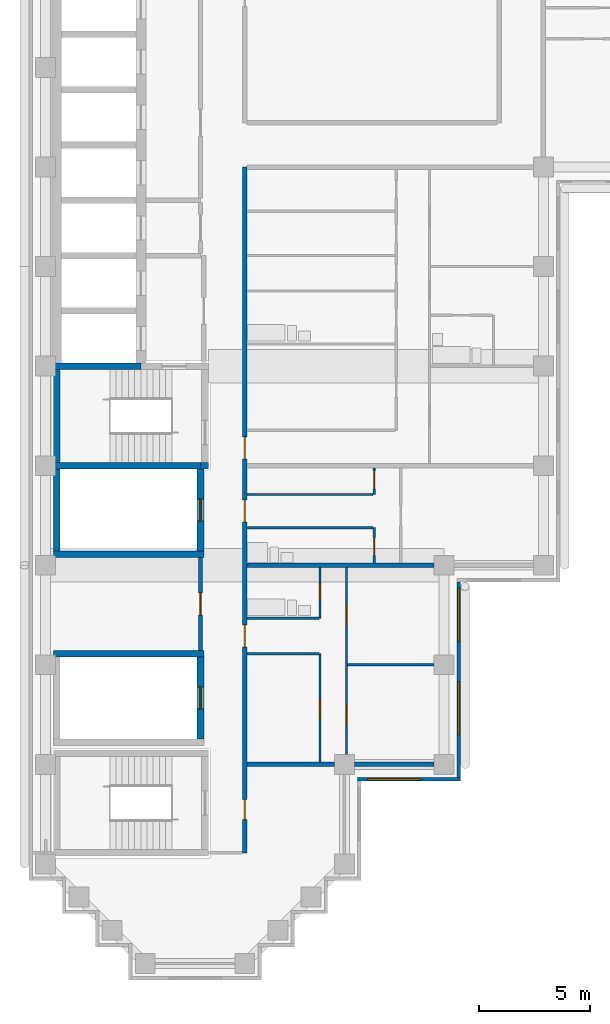
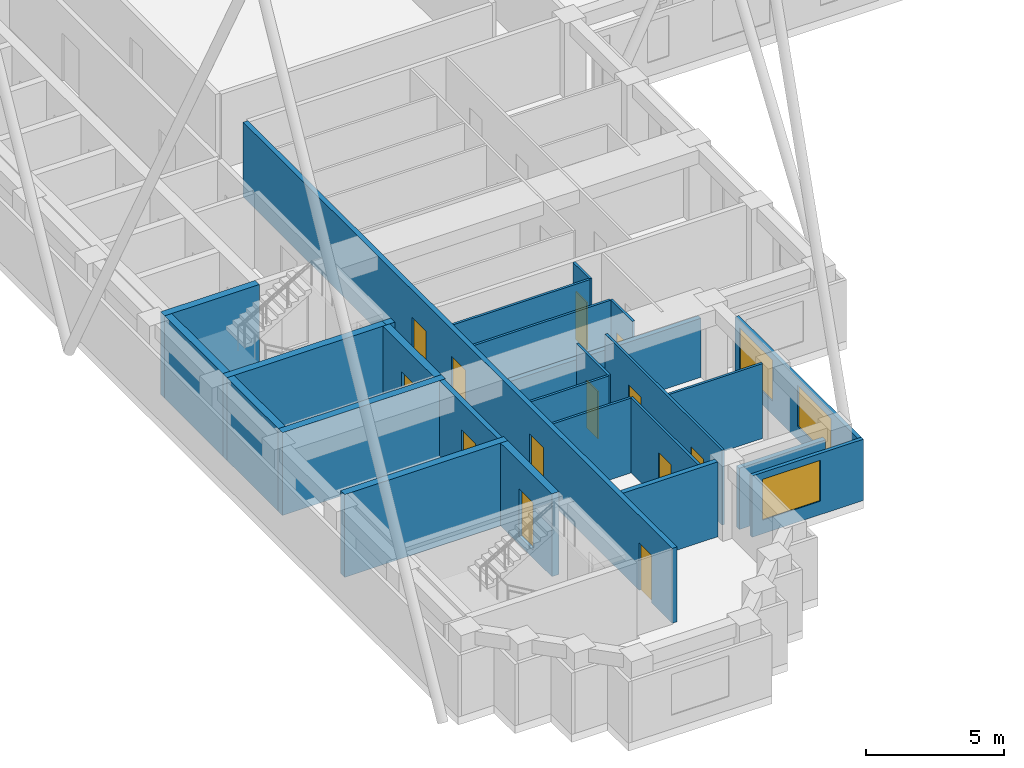
# One storey, part 3 of 11: 26 walls, 13 doors, 3 windows, 16 openings.
"""IFC4 building model written with IfcOpenShell, lengths in metres."""

from ifc_helpers import new_model, si_unit, direction, frame, frame_2d, origin, place, context, subcontext, project, spatial, rectangle, extrude, material, layer, layer_set, type_object, element, fill, save


model = new_model("IFC4")

# Units and contexts
model_context = context("Model", 3, precision=1e-05, world=origin(), true_north=direction((0.0, 1.0)))
body_context = subcontext(model_context, "Body", "Model", "MODEL_VIEW")
ifc_project = project(units=[si_unit("LENGTHUNIT", "METRE"), si_unit("AREAUNIT", "SQUARE_METRE"), si_unit("VOLUMEUNIT", "CUBIC_METRE"), si_unit("PLANEANGLEUNIT", "RADIAN"), si_unit("MASSUNIT", "GRAM", prefix="KILO")], contexts=[model_context])

# Site, building, storey
site_placement = place(None, origin())
site = spatial("IfcSite", under=ifc_project, at=site_placement, CompositionType="ELEMENT")
building_placement = place(site_placement, origin())
building = spatial("IfcBuilding", under=site, at=building_placement, Name="Firuza Court", CompositionType="ELEMENT")
storey_placement = place(building_placement, frame((0.0, 0.0, 186.199951171875)))
storey = spatial("IfcBuildingStorey", under=building, at=storey_placement, Name="L47", CompositionType="ELEMENT", Elevation=186.199951171875)

# Walls
ifc_material_1 = material(Name="Moisture-resistant gypsum board partition")
ifc_layer_1 = layer(ifc_material_1, 0.10009765625)
ifc_layer_set_1 = layer_set([ifc_layer_1], Name="Moisture-resistant gypsum board partition")
wall_type_1 = type_object("IfcWallType", Name="Bathroom partition 100", PredefinedType="PLUMBINGWALL", material=ifc_layer_set_1)
wall_1_placement = place(storey_placement, frame((9.10009765625, 15.60009765625, 0.0), z_axis=(0.0, 0.0, 1.0), x_axis=(1.0, 0.0, 0.0)))
element("IfcWall", 1, at=wall_1_placement, inside=storey, type_object=wall_type_1, Name="Bathroom partition 100 L47", PredefinedType="PLUMBINGWALL", context=body_context, shape_type="SweptSolid", body=[
    extrude(rectangle(XDim=3.25, YDim=0.10009765625, at=frame_2d((1.625, 0.0))), origin(), (0.0, 0.0, 1.0), 3.300048828125),
])
wall_2_placement = place(storey_placement, frame((9.10009765625, 19.699951171875, 0.0), z_axis=(0.0, 0.0, 1.0), x_axis=(1.0, 0.0, 0.0)))
element("IfcWall", 2, at=wall_2_placement, inside=storey, type_object=wall_type_1, Name="Bathroom partition 100 L47", PredefinedType="PLUMBINGWALL", context=body_context, shape_type="SweptSolid", body=[
    extrude(rectangle(XDim=5.699951171875, YDim=0.10009765625, at=frame_2d((2.85009765625, 0.0))), origin(), (0.0, 0.0, 1.0), 3.300048828125),
])
ifc_material_2 = material(Name="Concrete C50/60", Category="concrete")
ifc_layer_2 = layer(ifc_material_2, 0.300048828125)
ifc_layer_set_2 = layer_set([ifc_layer_2], Name="Concrete C50/60")
wall_type_2 = type_object("IfcWallType", Name="Core wall 300 C50/60", PredefinedType="SHEAR", material=ifc_layer_set_2)
for number, where, z_axis, x_axis, name in (
    (3, (0.35009765625, 14.0, -0.349853515625), (0.0, 0.0, 1.0), (1.0, 0.0, 0.0), "Core wall riser L47"),
    (4, (0.35009765625, 18.5, -0.349853515625), (0.0, 0.0, 1.0), (1.0, 0.0, 0.0), "Core wall riser L47"),
):
    element("IfcWall", number, at=place(storey_placement, frame(where, z_axis=z_axis, x_axis=x_axis)), inside=storey, type_object=wall_type_2, Name=name, PredefinedType="SHEAR", context=body_context, shape_type="SweptSolid", body=[
        extrude(rectangle(XDim=6.7998046875, YDim=0.300048828125, at=frame_2d((3.39990234375, 0.0))), origin(), (0.0, 0.0, 1.0), 3.64990234375),
    ])
wall_3_placement = place(storey_placement, frame((0.35009765625, 22.5, -0.349853515625), z_axis=(0.0, 0.0, 1.0), x_axis=(1.0, 0.0, 0.0)))
element("IfcWall", 5, at=wall_3_placement, inside=storey, type_object=wall_type_2, Name="Core wall riser L47", PredefinedType="SHEAR", context=body_context, shape_type="SweptSolid", body=[
    extrude(rectangle(XDim=6.64990234375, YDim=0.300048828125, at=frame_2d((3.324951171875, 0.0))), origin(), (0.0, 0.0, 1.0), 3.64990234375),
])
wall_4_placement = place(storey_placement, frame((0.35009765625, 27.0, -0.349853515625), z_axis=(0.0, 0.0, 1.0), x_axis=(1.0, 0.0, 0.0)))
element("IfcWall", 6, at=wall_4_placement, inside=storey, type_object=wall_type_2, Name="Core wall lift shaft L47", PredefinedType="SHEAR", context=body_context, shape_type="SweptSolid", body=[
    extrude(rectangle(XDim=3.949951171875, YDim=0.300048828125, at=frame_2d((1.97509765625, 0.0))), origin(), (0.0, 0.0, 1.0), 3.64990234375),
])
wall_5_placement = place(storey_placement, frame((0.5, 18.64990234375, -0.349853515625), z_axis=(0.0, 0.0, 1.0), x_axis=(0.0, 1.0, 0.0)))
element("IfcWall", 7, at=wall_5_placement, inside=storey, type_object=wall_type_2, Name="Core wall riser L47", PredefinedType="SHEAR", context=body_context, shape_type="SweptSolid", body=[
    extrude(rectangle(XDim=3.7001953125, YDim=0.300048828125, at=frame_2d((1.85009765625, 0.0))), origin(), (0.0, 0.0, 1.0), 3.64990234375),
])
wall_6_placement = place(storey_placement, frame((0.5, 22.64990234375, -0.349853515625), z_axis=(0.0, 0.0, 1.0), x_axis=(0.0, 1.0, 0.0)))
element("IfcWall", 8, at=wall_6_placement, inside=storey, type_object=wall_type_2, Name="Core wall stair L47", PredefinedType="SHEAR", context=body_context, shape_type="SweptSolid", body=[
    extrude(rectangle(XDim=4.2001953125, YDim=0.300048828125, at=frame_2d((2.10009765625, 0.0))), origin(), (0.0, 0.0, 1.0), 3.64990234375),
])

# Wall, opening, door
wall_7_placement = place(storey_placement, frame((7.0, 10.14990234375, -0.349853515625), z_axis=(0.0, 0.0, 1.0), x_axis=(0.0, 1.0, 0.0)))
wall_7 = element("IfcWall", 9, at=wall_7_placement, inside=storey, type_object=wall_type_2, Name="Core wall riser L47", PredefinedType="SHEAR", context=body_context, shape_type="SweptSolid", body=[
    extrude(rectangle(XDim=3.7001953125, YDim=0.300048828125, at=frame_2d((1.85009765625, 0.0))), origin(), (0.0, 0.0, 1.0), 3.64990234375),
])
opening_1_placement = place(wall_7_placement, frame((1.35009765625, 0.0, 0.35009765625)))
opening_1 = element("IfcOpeningElement", 10, at=opening_1_placement, cuts=wall_7, Name="Opening D47010", PredefinedType="OPENING", context=body_context, shape_type="SweptSolid", body=[
    extrude(rectangle(XDim=1.0, YDim=2.10009765625, at=frame_2d((0.5, 1.050048828125))), frame((0.0, 0.162109375, 0.0), z_axis=(0.0, -1.0, 0.0), x_axis=(1.0, 0.0, 0.0)), (0.0, 0.0, 1.0), 0.323974609375),
])
ifc_material_3 = material(Name="Timber door leaf in hardwood frame", Category="wood")
door_type_1 = type_object("IfcDoorType", Name="Riser door 1000", OperationType="SINGLE_SWING_LEFT", PredefinedType="DOOR", material=ifc_material_3)
door_1_placement = place(opening_1_placement, origin())
door_1 = element("IfcDoor", 11, at=door_1_placement, inside=storey, type_object=door_type_1, Name="Riser door R4", OperationType="SINGLE_SWING_LEFT", OverallHeight=2.10009765625, OverallWidth=1.0, PredefinedType="DOOR", context=body_context, shape_type="SweptSolid", body=[
    extrude(rectangle(XDim=1.0, YDim=2.10009765625, at=frame_2d((0.5, 1.050048828125))), frame((0.0, 0.02490234375, 0.0), z_axis=(0.0, -1.0, 0.0), x_axis=(1.0, 0.0, 0.0)), (0.0, 0.0, 1.0), 0.050048828125),
])
fill(opening_1, door_1)

wall_8_placement = place(storey_placement, frame((7.0, 18.64990234375, -0.349853515625), z_axis=(0.0, 0.0, 1.0), x_axis=(0.0, 1.0, 0.0)))
wall_8 = element("IfcWall", 12, at=wall_8_placement, inside=storey, type_object=wall_type_2, Name="Core wall riser L47", PredefinedType="SHEAR", context=body_context, shape_type="SweptSolid", body=[
    extrude(rectangle(XDim=3.7001953125, YDim=0.300048828125, at=frame_2d((1.85009765625, 0.0))), origin(), (0.0, 0.0, 1.0), 3.64990234375),
])
opening_2_placement = place(wall_8_placement, frame((1.35009765625, 0.0, 0.35009765625)))
opening_2 = element("IfcOpeningElement", 13, at=opening_2_placement, cuts=wall_8, Name="Opening D47008", PredefinedType="OPENING", context=body_context, shape_type="SweptSolid", body=[
    extrude(rectangle(XDim=1.0, YDim=2.10009765625, at=frame_2d((0.5, 1.050048828125))), frame((0.0, 0.162109375, 0.0), z_axis=(0.0, -1.0, 0.0), x_axis=(1.0, 0.0, 0.0)), (0.0, 0.0, 1.0), 0.323974609375),
])
door_2_placement = place(opening_2_placement, origin())
door_2 = element("IfcDoor", 14, at=door_2_placement, inside=storey, type_object=door_type_1, Name="Riser door R1", OperationType="SINGLE_SWING_LEFT", OverallHeight=2.10009765625, OverallWidth=1.0, PredefinedType="DOOR", context=body_context, shape_type="SweptSolid", body=[
    extrude(rectangle(XDim=1.0, YDim=2.10009765625, at=frame_2d((0.5, 1.050048828125))), frame((0.0, 0.02490234375, 0.0), z_axis=(0.0, -1.0, 0.0), x_axis=(1.0, 0.0, 0.0)), (0.0, 0.0, 1.0), 0.050048828125),
])
fill(opening_2, door_2)

# Wall
wall_9_placement = place(storey_placement, frame((7.0, 22.5, -0.349853515625), z_axis=(0.0, 0.0, 1.0), x_axis=(1.0, 0.0, 0.0)))
element("IfcWall", 15, at=wall_9_placement, inside=storey, type_object=wall_type_2, Name="Core wall stair L47", PredefinedType="SHEAR", context=body_context, shape_type="SweptSolid", body=[
    extrude(rectangle(XDim=0.35009765625, YDim=0.300048828125, at=frame_2d((0.175048828125, 0.0))), origin(), (0.0, 0.0, 1.0), 3.64990234375),
])

# Wall, openings, doors
ifc_material_4 = material(Name="Blockwork, plastered both sides", Category="masonry")
ifc_layer_3 = layer(ifc_material_4, 0.199951171875)
ifc_layer_set_3 = layer_set([ifc_layer_3], Name="Blockwork, plastered both sides")
wall_type_3 = type_object("IfcWallType", Name="Corridor wall 200", PredefinedType="PARTITIONING", material=ifc_layer_set_3)
wall_10_placement = place(storey_placement, frame((9.0, 5.0, 0.0), z_axis=(0.0, 0.0, 1.0), x_axis=(0.0, 1.0, 0.0)))
wall_10 = element("IfcWall", 16, at=wall_10_placement, inside=storey, type_object=wall_type_3, Name="Corridor wall 200 L47", PredefinedType="PARTITIONING", context=body_context, shape_type="SweptSolid", body=[
    extrude(rectangle(XDim=31.0, YDim=0.199951171875, at=frame_2d((15.5, 0.0))), origin(), (0.0, 0.0, 1.0), 3.300048828125),
])
opening_3_placement = place(wall_10_placement, frame((17.800048828125, 0.0, 0.0)))
opening_3 = element("IfcOpeningElement", 17, at=opening_3_placement, cuts=wall_10, Name="Opening D47016", PredefinedType="OPENING", context=body_context, shape_type="SweptSolid", body=[
    extrude(rectangle(XDim=1.0, YDim=2.10009765625, at=frame_2d((0.5, 1.050048828125))), frame((0.0, 0.11181640625, 0.0), z_axis=(0.0, -1.0, 0.0), x_axis=(1.0, 0.0, 0.0)), (0.0, 0.0, 1.0), 0.223876953125),
])
opening_4_placement = place(wall_10_placement, frame((14.949951171875, 0.0, 0.0)))
opening_4 = element("IfcOpeningElement", 18, at=opening_4_placement, cuts=wall_10, Name="Opening D47017", PredefinedType="OPENING", context=body_context, shape_type="SweptSolid", body=[
    extrude(rectangle(XDim=1.0, YDim=2.10009765625, at=frame_2d((0.5, 1.050048828125))), frame((0.0, 0.11181640625, 0.0), z_axis=(0.0, -1.0, 0.0), x_axis=(1.0, 0.0, 0.0)), (0.0, 0.0, 1.0), 0.223876953125),
])
opening_5_placement = place(wall_10_placement, frame((9.300048828125, 0.0, 0.0)))
opening_5 = element("IfcOpeningElement", 19, at=opening_5_placement, cuts=wall_10, Name="Opening D47018", PredefinedType="OPENING", context=body_context, shape_type="SweptSolid", body=[
    extrude(rectangle(XDim=1.0, YDim=2.10009765625, at=frame_2d((0.5, 1.050048828125))), frame((0.0, 0.11181640625, 0.0), z_axis=(0.0, -1.0, 0.0), x_axis=(1.0, 0.0, 0.0)), (0.0, 0.0, 1.0), 0.223876953125),
])
opening_6_placement = place(wall_10_placement, frame((1.5, 0.0, 0.0)))
opening_6 = element("IfcOpeningElement", 20, at=opening_6_placement, cuts=wall_10, Name="Opening D47019", PredefinedType="OPENING", context=body_context, shape_type="SweptSolid", body=[
    extrude(rectangle(XDim=0.89990234375, YDim=2.10009765625, at=frame_2d((0.449951171875, 1.050048828125))), frame((0.0, 0.11181640625, 0.0), z_axis=(0.0, -1.0, 0.0), x_axis=(1.0, 0.0, 0.0)), (0.0, 0.0, 1.0), 0.223876953125),
])
ifc_material_5 = material(Name="Timber door leaf in hardwood frame", Category="wood")
door_type_2 = type_object("IfcDoorType", Name="Flat entrance door 1000", OperationType="SINGLE_SWING_LEFT", PredefinedType="DOOR", material=ifc_material_5)
door_3_placement = place(opening_3_placement, origin())
door_3 = element("IfcDoor", 21, at=door_3_placement, inside=storey, type_object=door_type_2, Name="Flat entrance door", OperationType="SINGLE_SWING_LEFT", OverallHeight=2.10009765625, OverallWidth=1.0, PredefinedType="DOOR", context=body_context, shape_type="SweptSolid", body=[
    extrude(rectangle(XDim=1.0, YDim=2.10009765625, at=frame_2d((0.5, 1.050048828125))), frame((0.0, 0.02490234375, 0.0), z_axis=(0.0, -1.0, 0.0), x_axis=(1.0, 0.0, 0.0)), (0.0, 0.0, 1.0), 0.050048828125),
])
fill(opening_3, door_3)
door_4_placement = place(opening_4_placement, origin())
door_4 = element("IfcDoor", 22, at=door_4_placement, inside=storey, type_object=door_type_2, Name="Flat entrance door", OperationType="SINGLE_SWING_LEFT", OverallHeight=2.10009765625, OverallWidth=1.0, PredefinedType="DOOR", context=body_context, shape_type="SweptSolid", body=[
    extrude(rectangle(XDim=1.0, YDim=2.10009765625, at=frame_2d((0.5, 1.050048828125))), frame((0.0, 0.02490234375, 0.0), z_axis=(0.0, -1.0, 0.0), x_axis=(1.0, 0.0, 0.0)), (0.0, 0.0, 1.0), 0.050048828125),
])
fill(opening_4, door_4)
door_5_placement = place(opening_5_placement, origin())
door_5 = element("IfcDoor", 23, at=door_5_placement, inside=storey, type_object=door_type_2, Name="Flat entrance door", OperationType="SINGLE_SWING_LEFT", OverallHeight=2.10009765625, OverallWidth=1.0, PredefinedType="DOOR", context=body_context, shape_type="SweptSolid", body=[
    extrude(rectangle(XDim=1.0, YDim=2.10009765625, at=frame_2d((0.5, 1.050048828125))), frame((0.0, 0.02490234375, 0.0), z_axis=(0.0, -1.0, 0.0), x_axis=(1.0, 0.0, 0.0)), (0.0, 0.0, 1.0), 0.050048828125),
])
fill(opening_5, door_5)
ifc_material_6 = material(Name="Timber door leaf in hardwood frame", Category="wood")
door_type_3 = type_object("IfcDoorType", Name="Room door 900 EI 30", OperationType="SINGLE_SWING_LEFT", PredefinedType="DOOR", material=ifc_material_6)
door_6_placement = place(opening_6_placement, frame((0.89990234375, 0.0, 0.0), z_axis=(0.0, 0.0, 1.0), x_axis=(-1.0, 0.0, 0.0)))
door_6 = element("IfcDoor", 24, at=door_6_placement, inside=storey, type_object=door_type_3, Name="Library door", OperationType="SINGLE_SWING_LEFT", OverallHeight=2.10009765625, OverallWidth=0.89990234375, PredefinedType="DOOR", context=body_context, shape_type="SweptSolid", body=[
    extrude(rectangle(XDim=0.89990234375, YDim=2.10009765625, at=frame_2d((0.449951171875, 1.050048828125))), frame((0.0, 0.02490234375, 0.0), z_axis=(0.0, -1.0, 0.0), x_axis=(1.0, 0.0, 0.0)), (0.0, 0.0, 1.0), 0.050048828125),
])
fill(opening_6, door_6)

# Wall, opening, door
wall_11_placement = place(storey_placement, frame((7.0, 14.14990234375, 0.0), z_axis=(0.0, 0.0, 1.0), x_axis=(0.0, 1.0, 0.0)))
wall_11 = element("IfcWall", 25, at=wall_11_placement, inside=storey, type_object=wall_type_3, Name="Corridor wall 200 L47", PredefinedType="PARTITIONING", context=body_context, shape_type="SweptSolid", body=[
    extrude(rectangle(XDim=4.2001953125, YDim=0.199951171875, at=frame_2d((2.10009765625, 0.0))), origin(), (0.0, 0.0, 1.0), 3.300048828125),
])
opening_7_placement = place(wall_11_placement, frame((1.60009765625, 0.0, 0.0)))
opening_7 = element("IfcOpeningElement", 26, at=opening_7_placement, cuts=wall_11, Name="Opening D47023", PredefinedType="OPENING", context=body_context, shape_type="SweptSolid", body=[
    extrude(rectangle(XDim=1.0, YDim=2.10009765625, at=frame_2d((0.5, 1.050048828125))), frame((0.0, 0.11181640625, 0.0), z_axis=(0.0, -1.0, 0.0), x_axis=(1.0, 0.0, 0.0)), (0.0, 0.0, 1.0), 0.223876953125),
])
ifc_material_7 = material(Name="Timber door leaf in hardwood frame", Category="wood")
door_type_4 = type_object("IfcDoorType", Name="Store door 1000", OperationType="SINGLE_SWING_LEFT", PredefinedType="DOOR", material=ifc_material_7)
door_7_placement = place(opening_7_placement, origin())
door_7 = element("IfcDoor", 27, at=door_7_placement, inside=storey, type_object=door_type_4, Name="Electrical room door", OperationType="SINGLE_SWING_LEFT", OverallHeight=2.10009765625, OverallWidth=1.0, PredefinedType="DOOR", context=body_context, shape_type="SweptSolid", body=[
    extrude(rectangle(XDim=1.0, YDim=2.10009765625, at=frame_2d((0.5, 1.050048828125))), frame((0.0, 0.02490234375, 0.0), z_axis=(0.0, -1.0, 0.0), x_axis=(1.0, 0.0, 0.0)), (0.0, 0.0, 1.0), 0.050048828125),
])
fill(opening_7, door_7)

ifc_material_8 = material(Name="Timber stud partition, plasterboard both sides", Category="wood")
ifc_layer_4 = layer(ifc_material_8, 0.10009765625)
ifc_layer_set_4 = layer_set([ifc_layer_4], Name="Timber stud partition, plasterboard both sides")
wall_type_4 = type_object("IfcWallType", Name="Partition wall 100", PredefinedType="PARTITIONING", material=ifc_layer_set_4)
wall_12_placement = place(storey_placement, frame((12.39990234375, 9.10009765625, 0.0), z_axis=(0.0, 0.0, 1.0), x_axis=(0.0, 1.0, 0.0)))
wall_12 = element("IfcWall", 28, at=wall_12_placement, inside=storey, type_object=wall_type_4, Name="Partition wall 100 L47", PredefinedType="PARTITIONING", context=body_context, shape_type="SweptSolid", body=[
    extrude(rectangle(XDim=4.89990234375, YDim=0.10009765625, at=frame_2d((2.449951171875, 0.0))), origin(), (0.0, 0.0, 1.0), 3.300048828125),
])
opening_8_placement = place(wall_12_placement, frame((1.949951171875, 0.0, 0.0)))
opening_8 = element("IfcOpeningElement", 29, at=opening_8_placement, cuts=wall_12, Name="Opening D47020", PredefinedType="OPENING", context=body_context, shape_type="SweptSolid", body=[
    extrude(rectangle(XDim=0.89990234375, YDim=2.10009765625, at=frame_2d((0.449951171875, 1.050048828125))), frame((0.0, 0.06201171875, 0.0), z_axis=(0.0, -1.0, 0.0), x_axis=(1.0, 0.0, 0.0)), (0.0, 0.0, 1.0), 0.1240234375),
])
ifc_material_9 = material(Name="Timber door leaf in hardwood frame", Category="wood")
door_type_5 = type_object("IfcDoorType", Name="Room door 900", OperationType="SINGLE_SWING_LEFT", PredefinedType="DOOR", material=ifc_material_9)
door_8_placement = place(opening_8_placement, origin())
door_8 = element("IfcDoor", 30, at=door_8_placement, inside=storey, type_object=door_type_5, Name="Kitchen door", OperationType="SINGLE_SWING_LEFT", OverallHeight=2.10009765625, OverallWidth=0.89990234375, PredefinedType="DOOR", context=body_context, shape_type="SweptSolid", body=[
    extrude(rectangle(XDim=0.89990234375, YDim=2.10009765625, at=frame_2d((0.449951171875, 1.050048828125))), frame((0.0, 0.02490234375, 0.0), z_axis=(0.0, -1.0, 0.0), x_axis=(1.0, 0.0, 0.0)), (0.0, 0.0, 1.0), 0.050048828125),
])
fill(opening_8, door_8)

# Wall, openings, doors
wall_13_placement = place(storey_placement, frame((13.60009765625, 9.449951171875, 0.0), z_axis=(0.0, 0.0, 1.0), x_axis=(0.0, 1.0, 0.0)))
wall_13 = element("IfcWall", 31, at=wall_13_placement, inside=storey, type_object=wall_type_4, Name="Partition wall 100 L47", PredefinedType="PARTITIONING", context=body_context, shape_type="SweptSolid", body=[
    extrude(rectangle(XDim=8.449951171875, YDim=0.10009765625, at=frame_2d((4.22509765625, 0.0))), origin(), (0.0, 0.0, 1.0), 3.300048828125),
])
opening_9_placement = place(wall_13_placement, frame((1.35009765625, 0.0, 0.0)))
opening_9 = element("IfcOpeningElement", 32, at=opening_9_placement, cuts=wall_13, Name="Opening D47021", PredefinedType="OPENING", context=body_context, shape_type="SweptSolid", body=[
    extrude(rectangle(XDim=0.89990234375, YDim=2.10009765625, at=frame_2d((0.449951171875, 1.050048828125))), frame((0.0, 0.06201171875, 0.0), z_axis=(0.0, -1.0, 0.0), x_axis=(1.0, 0.0, 0.0)), (0.0, 0.0, 1.0), 0.1240234375),
])
opening_10_placement = place(wall_13_placement, frame((5.85009765625, 0.0, 0.0)))
opening_10 = element("IfcOpeningElement", 33, at=opening_10_placement, cuts=wall_13, Name="Opening D47022", PredefinedType="OPENING", context=body_context, shape_type="SweptSolid", body=[
    extrude(rectangle(XDim=0.89990234375, YDim=2.10009765625, at=frame_2d((0.449951171875, 1.050048828125))), frame((0.0, 0.06201171875, 0.0), z_axis=(0.0, -1.0, 0.0), x_axis=(1.0, 0.0, 0.0)), (0.0, 0.0, 1.0), 0.1240234375),
])
door_9_placement = place(opening_9_placement, frame((0.89990234375, 0.0, 0.0), z_axis=(0.0, 0.0, 1.0), x_axis=(-1.0, 0.0, 0.0)))
door_9 = element("IfcDoor", 34, at=door_9_placement, inside=storey, type_object=door_type_5, Name="Living room door", OperationType="SINGLE_SWING_RIGHT", OverallHeight=2.10009765625, OverallWidth=0.89990234375, PredefinedType="DOOR", context=body_context, shape_type="SweptSolid", body=[
    extrude(rectangle(XDim=0.89990234375, YDim=2.10009765625, at=frame_2d((0.449951171875, 1.050048828125))), frame((0.0, 0.02490234375, 0.0), z_axis=(0.0, -1.0, 0.0), x_axis=(1.0, 0.0, 0.0)), (0.0, 0.0, 1.0), 0.050048828125),
])
fill(opening_9, door_9)
door_10_placement = place(opening_10_placement, frame((0.89990234375, 0.0, 0.0), z_axis=(0.0, 0.0, 1.0), x_axis=(-1.0, 0.0, 0.0)))
door_10 = element("IfcDoor", 35, at=door_10_placement, inside=storey, type_object=door_type_5, Name="Bedroom door", OperationType="SINGLE_SWING_RIGHT", OverallHeight=2.10009765625, OverallWidth=0.89990234375, PredefinedType="DOOR", context=body_context, shape_type="SweptSolid", body=[
    extrude(rectangle(XDim=0.89990234375, YDim=2.10009765625, at=frame_2d((0.449951171875, 1.050048828125))), frame((0.0, 0.02490234375, 0.0), z_axis=(0.0, -1.0, 0.0), x_axis=(1.0, 0.0, 0.0)), (0.0, 0.0, 1.0), 0.050048828125),
])
fill(opening_10, door_10)

# Walls
wall_14_placement = place(storey_placement, frame((13.64990234375, 13.5, 0.0), z_axis=(0.0, 0.0, 1.0), x_axis=(1.0, 0.0, 0.0)))
element("IfcWall", 36, at=wall_14_placement, inside=storey, type_object=wall_type_4, Name="Partition wall 100 L47", PredefinedType="PARTITIONING", context=body_context, shape_type="SweptSolid", body=[
    extrude(rectangle(XDim=3.900146484375, YDim=0.10009765625, at=frame_2d((1.9501953125, 0.0))), origin(), (0.0, 0.0, 1.0), 3.300048828125),
])
wall_15_placement = place(storey_placement, frame((9.10009765625, 14.0, 0.0), z_axis=(0.0, 0.0, 1.0), x_axis=(1.0, 0.0, 0.0)))
element("IfcWall", 37, at=wall_15_placement, inside=storey, type_object=wall_type_4, Name="Partition wall 100 L47", PredefinedType="PARTITIONING", context=body_context, shape_type="SweptSolid", body=[
    extrude(rectangle(XDim=3.25, YDim=0.10009765625, at=frame_2d((1.625, 0.0))), origin(), (0.0, 0.0, 1.0), 3.300048828125),
])

# Wall, opening, door
wall_16_placement = place(storey_placement, frame((12.39990234375, 15.60009765625, 0.0), z_axis=(0.0, 0.0, 1.0), x_axis=(0.0, 1.0, 0.0)))
wall_16 = element("IfcWall", 38, at=wall_16_placement, inside=storey, type_object=wall_type_4, Name="Partition wall 100 L47", PredefinedType="PARTITIONING", context=body_context, shape_type="SweptSolid", body=[
    extrude(rectangle(XDim=2.2998046875, YDim=0.10009765625, at=frame_2d((1.14990234375, 0.0))), origin(), (0.0, 0.0, 1.0), 3.300048828125),
])
opening_11_placement = place(wall_16_placement, frame((0.800048828125, 0.0, 0.0)))
opening_11 = element("IfcOpeningElement", 39, at=opening_11_placement, cuts=wall_16, Name="Opening D47024", PredefinedType="OPENING", context=body_context, shape_type="SweptSolid", body=[
    extrude(rectangle(XDim=0.800048828125, YDim=2.10009765625, at=frame_2d((0.39990234375, 1.050048828125))), frame((0.0, 0.06201171875, 0.0), z_axis=(0.0, -1.0, 0.0), x_axis=(1.0, 0.0, 0.0)), (0.0, 0.0, 1.0), 0.1240234375),
])
ifc_material_10 = material(Name="Timber door leaf in hardwood frame", Category="wood")
door_type_6 = type_object("IfcDoorType", Name="Bathroom door 800", OperationType="SINGLE_SWING_LEFT", PredefinedType="DOOR", material=ifc_material_10)
door_11_placement = place(opening_11_placement, origin())
door_11 = element("IfcDoor", 40, at=door_11_placement, inside=storey, type_object=door_type_6, Name="Bathroom door", OperationType="SINGLE_SWING_LEFT", OverallHeight=2.10009765625, OverallWidth=0.800048828125, PredefinedType="DOOR", context=body_context, shape_type="SweptSolid", body=[
    extrude(rectangle(XDim=0.800048828125, YDim=2.10009765625, at=frame_2d((0.39990234375, 1.050048828125))), frame((0.0, 0.02490234375, 0.0), z_axis=(0.0, -1.0, 0.0), x_axis=(1.0, 0.0, 0.0)), (0.0, 0.0, 1.0), 0.050048828125),
])
fill(opening_11, door_11)

wall_17_placement = place(storey_placement, frame((14.85009765625, 18.10009765625, 0.0), z_axis=(0.0, 0.0, 1.0), x_axis=(0.0, 1.0, 0.0)))
wall_17 = element("IfcWall", 41, at=wall_17_placement, inside=storey, type_object=wall_type_4, Name="Partition wall 100 L47", PredefinedType="PARTITIONING", context=body_context, shape_type="SweptSolid", body=[
    extrude(rectangle(XDim=1.599853515625, YDim=0.10009765625, at=frame_2d((0.7998046875, 0.0))), origin(), (0.0, 0.0, 1.0), 3.300048828125),
])
opening_12_placement = place(wall_17_placement, frame((0.35009765625, 0.0, 0.0)))
opening_12 = element("IfcOpeningElement", 42, at=opening_12_placement, cuts=wall_17, Name="Opening D47025", PredefinedType="OPENING", context=body_context, shape_type="SweptSolid", body=[
    extrude(rectangle(XDim=0.800048828125, YDim=2.10009765625, at=frame_2d((0.39990234375, 1.050048828125))), frame((0.0, 0.06201171875, 0.0), z_axis=(0.0, -1.0, 0.0), x_axis=(1.0, 0.0, 0.0)), (0.0, 0.0, 1.0), 0.1240234375),
])
door_12_placement = place(opening_12_placement, origin())
door_12 = element("IfcDoor", 43, at=door_12_placement, inside=storey, type_object=door_type_6, Name="Bathroom door", OperationType="SINGLE_SWING_LEFT", OverallHeight=2.10009765625, OverallWidth=0.800048828125, PredefinedType="DOOR", context=body_context, shape_type="SweptSolid", body=[
    extrude(rectangle(XDim=0.800048828125, YDim=2.10009765625, at=frame_2d((0.39990234375, 1.050048828125))), frame((0.0, 0.02490234375, 0.0), z_axis=(0.0, -1.0, 0.0), x_axis=(1.0, 0.0, 0.0)), (0.0, 0.0, 1.0), 0.050048828125),
])
fill(opening_12, door_12)

# Wall
wall_18_placement = place(storey_placement, frame((9.10009765625, 21.199951171875, 0.0), z_axis=(0.0, 0.0, 1.0), x_axis=(1.0, 0.0, 0.0)))
element("IfcWall", 44, at=wall_18_placement, inside=storey, type_object=wall_type_4, Name="Partition wall 100 L47", PredefinedType="PARTITIONING", context=body_context, shape_type="SweptSolid", body=[
    extrude(rectangle(XDim=5.699951171875, YDim=0.10009765625, at=frame_2d((2.85009765625, 0.0))), origin(), (0.0, 0.0, 1.0), 3.300048828125),
])

# Wall, opening, door
wall_19_placement = place(storey_placement, frame((14.85009765625, 21.199951171875, 0.0), z_axis=(0.0, 0.0, 1.0), x_axis=(0.0, 1.0, 0.0)))
wall_19 = element("IfcWall", 45, at=wall_19_placement, inside=storey, type_object=wall_type_4, Name="Partition wall 100 L47", PredefinedType="PARTITIONING", context=body_context, shape_type="SweptSolid", body=[
    extrude(rectangle(XDim=1.199951171875, YDim=0.10009765625, at=frame_2d((0.60009765625, 0.0))), origin(), (0.0, 0.0, 1.0), 3.300048828125),
])
opening_13_placement = place(wall_19_placement, frame((0.25, 0.0, 0.0)))
opening_13 = element("IfcOpeningElement", 46, at=opening_13_placement, cuts=wall_19, Name="Opening D47027", PredefinedType="OPENING", context=body_context, shape_type="SweptSolid", body=[
    extrude(rectangle(XDim=0.800048828125, YDim=2.10009765625, at=frame_2d((0.39990234375, 1.050048828125))), frame((0.0, 0.06201171875, 0.0), z_axis=(0.0, -1.0, 0.0), x_axis=(1.0, 0.0, 0.0)), (0.0, 0.0, 1.0), 0.1240234375),
])
ifc_material_11 = material(Name="Timber door leaf in hardwood frame", Category="wood")
door_type_7 = type_object("IfcDoorType", Name="Room door 800", OperationType="SINGLE_SWING_LEFT", PredefinedType="DOOR", material=ifc_material_11)
door_13_placement = place(opening_13_placement, origin())
door_13 = element("IfcDoor", 47, at=door_13_placement, inside=storey, type_object=door_type_7, Name="Kitchen door", OperationType="SINGLE_SWING_LEFT", OverallHeight=2.10009765625, OverallWidth=0.800048828125, PredefinedType="DOOR", context=body_context, shape_type="SweptSolid", body=[
    extrude(rectangle(XDim=0.800048828125, YDim=2.10009765625, at=frame_2d((0.39990234375, 1.050048828125))), frame((0.0, 0.02490234375, 0.0), z_axis=(0.0, -1.0, 0.0), x_axis=(1.0, 0.0, 0.0)), (0.0, 0.0, 1.0), 0.050048828125),
])
fill(opening_13, door_13)

# Walls
ifc_layer_5 = layer(ifc_material_4, 0.199951171875)
ifc_layer_set_5 = layer_set([ifc_layer_5], Name="Blockwork, plastered both sides")
wall_type_5 = type_object("IfcWallType", Name="Party wall 200", PredefinedType="PARTITIONING", material=ifc_layer_set_5)
wall_20_placement = place(storey_placement, frame((9.10009765625, 9.0, 0.0), z_axis=(0.0, 0.0, 1.0), x_axis=(1.0, 0.0, 0.0)))
element("IfcWall", 48, at=wall_20_placement, inside=storey, type_object=wall_type_5, Name="Party wall 200 L47", PredefinedType="PARTITIONING", context=body_context, shape_type="SweptSolid", body=[
    extrude(rectangle(XDim=3.949951171875, YDim=0.199951171875, at=frame_2d((1.97509765625, 0.0))), origin(), (0.0, 0.0, 1.0), 3.300048828125),
])
wall_21_placement = place(storey_placement, frame((13.949951171875, 9.0, 0.0), z_axis=(0.0, 0.0, 1.0), x_axis=(1.0, 0.0, 0.0)))
element("IfcWall", 49, at=wall_21_placement, inside=storey, type_object=wall_type_5, Name="Party wall 200 L47", PredefinedType="PARTITIONING", context=body_context, shape_type="SweptSolid", body=[
    extrude(rectangle(XDim=3.60009765625, YDim=0.199951171875, at=frame_2d((1.800048828125, 0.0))), origin(), (0.0, 0.0, 1.0), 2.699951171875),
])
wall_22_placement = place(storey_placement, frame((9.10009765625, 18.0, 0.0), z_axis=(0.0, 0.0, 1.0), x_axis=(1.0, 0.0, 0.0)))
element("IfcWall", 50, at=wall_22_placement, inside=storey, type_object=wall_type_5, Name="Party wall 200 L47", PredefinedType="PARTITIONING", context=body_context, shape_type="SweptSolid", body=[
    extrude(rectangle(XDim=8.449951171875, YDim=0.199951171875, at=frame_2d((4.22509765625, 0.0))), origin(), (0.0, 0.0, 1.0), 2.60009765625),
])

# Wall, opening, window
ifc_material_12 = material(Name="Ceramic tile", Category="ceramic")
ifc_layer_6 = layer(ifc_material_12, 0.02001953125)
ifc_material_13 = material(Name="Mineral wool insulation", Category="insulation")
ifc_layer_7 = layer(ifc_material_13, 0.050048828125)
ifc_material_14 = material(Name="Concrete C40/50 precast", Category="concrete")
ifc_layer_8 = layer(ifc_material_14, 0.080078125)
ifc_layer_set_6 = layer_set([ifc_layer_6, ifc_layer_7, ifc_layer_8], Name="Concrete C40/50 precast")
wall_type_6 = type_object("IfcWallType", Name="Precast cladding wall with turquoise TILE PANEL face 150", PredefinedType="STANDARD", material=ifc_layer_set_6)
wall_23_placement = place(storey_placement, frame((14.10009765625, 8.324951171875, 0.0), z_axis=(0.0, 0.0, 1.0), x_axis=(1.0, 0.0, 0.0)))
wall_23 = element("IfcWall", 51, at=wall_23_placement, inside=storey, type_object=wall_type_6, Name="Facade wall L47 S", PredefinedType="STANDARD", context=body_context, shape_type="SweptSolid", body=[
    extrude(rectangle(XDim=4.64990234375, YDim=0.14990234375, at=frame_2d((2.324951171875, 0.0))), origin(), (0.0, 0.0, 1.0), 2.699951171875),
])
opening_14_placement = place(wall_23_placement, frame((0.449951171875, 0.0, 0.60009765625)))
opening_14 = element("IfcOpeningElement", 52, at=opening_14_placement, cuts=wall_23, Name="Opening W1", PredefinedType="OPENING", context=body_context, shape_type="SweptSolid", body=[
    extrude(rectangle(XDim=2.39990234375, YDim=1.800048828125, at=frame_2d((1.199951171875, 0.89990234375))), frame((0.0, 0.0869140625, 0.0), z_axis=(0.0, -1.0, 0.0), x_axis=(1.0, 0.0, 0.0)), (0.0, 0.0, 1.0), 0.173828125),
])
ifc_material_15 = material(Name="Aluminium frame, triple clear glazing", Category="aluminium")
window_type = type_object("IfcWindowType", Name="Window W1 2400 x 1800", PartitioningType="SINGLE_PANEL", PredefinedType="WINDOW", material=ifc_material_15)
window_1_placement = place(opening_14_placement, origin())
window_1 = element("IfcWindow", 53, at=window_1_placement, inside=storey, type_object=window_type, Name="Window L47", OverallHeight=1.800048828125, OverallWidth=2.39990234375, PartitioningType="SINGLE_PANEL", PredefinedType="WINDOW", context=body_context, shape_type="SweptSolid", body=[
    extrude(rectangle(XDim=2.39990234375, YDim=1.800048828125, at=frame_2d((1.199951171875, 0.89990234375))), frame((0.0, 0.030029296875, 0.0), z_axis=(0.0, -1.0, 0.0), x_axis=(1.0, 0.0, 0.0)), (0.0, 0.0, 1.0), 0.06005859375),
])
fill(opening_14, window_1)

# Wall, openings, windows
wall_24_placement = place(storey_placement, frame((18.675048828125, 8.39990234375, 0.0), z_axis=(0.0, 0.0, 1.0), x_axis=(0.0, 1.0, 0.0)))
wall_24 = element("IfcWall", 54, at=wall_24_placement, inside=storey, type_object=wall_type_6, Name="Facade wall L47 E", PredefinedType="STANDARD", context=body_context, shape_type="SweptSolid", body=[
    extrude(rectangle(XDim=8.85009765625, YDim=0.14990234375, at=frame_2d((4.425048828125, 0.0))), origin(), (0.0, 0.0, 1.0), 2.699951171875),
])
opening_15_placement = place(wall_24_placement, frame((1.935302734375, 0.0, 0.60009765625)))
opening_15 = element("IfcOpeningElement", 55, at=opening_15_placement, cuts=wall_24, Name="Opening W1", PredefinedType="OPENING", context=body_context, shape_type="SweptSolid", body=[
    extrude(rectangle(XDim=2.39990234375, YDim=1.800048828125, at=frame_2d((1.199951171875, 0.89990234375))), frame((0.0, 0.0869140625, 0.0), z_axis=(0.0, -1.0, 0.0), x_axis=(1.0, 0.0, 0.0)), (0.0, 0.0, 1.0), 0.173828125),
])
opening_16_placement = place(wall_24_placement, frame((6.14990234375, 0.0, 0.60009765625)))
opening_16 = element("IfcOpeningElement", 56, at=opening_16_placement, cuts=wall_24, Name="Opening W1", PredefinedType="OPENING", context=body_context, shape_type="SweptSolid", body=[
    extrude(rectangle(XDim=2.39990234375, YDim=1.800048828125, at=frame_2d((1.199951171875, 0.89990234375))), frame((0.0, 0.0869140625, 0.0), z_axis=(0.0, -1.0, 0.0), x_axis=(1.0, 0.0, 0.0)), (0.0, 0.0, 1.0), 0.173828125),
])
window_2_placement = place(opening_15_placement, origin())
window_2 = element("IfcWindow", 57, at=window_2_placement, inside=storey, type_object=window_type, Name="Window L47", OverallHeight=1.800048828125, OverallWidth=2.39990234375, PartitioningType="SINGLE_PANEL", PredefinedType="WINDOW", context=body_context, shape_type="SweptSolid", body=[
    extrude(rectangle(XDim=2.39990234375, YDim=1.800048828125, at=frame_2d((1.199951171875, 0.89990234375))), frame((0.0, 0.030029296875, 0.0), z_axis=(0.0, -1.0, 0.0), x_axis=(1.0, 0.0, 0.0)), (0.0, 0.0, 1.0), 0.06005859375),
])
fill(opening_15, window_2)
window_3_placement = place(opening_16_placement, origin())
window_3 = element("IfcWindow", 58, at=window_3_placement, inside=storey, type_object=window_type, Name="Window L47", OverallHeight=1.800048828125, OverallWidth=2.39990234375, PartitioningType="SINGLE_PANEL", PredefinedType="WINDOW", context=body_context, shape_type="SweptSolid", body=[
    extrude(rectangle(XDim=2.39990234375, YDim=1.800048828125, at=frame_2d((1.199951171875, 0.89990234375))), frame((0.0, 0.030029296875, 0.0), z_axis=(0.0, -1.0, 0.0), x_axis=(1.0, 0.0, 0.0)), (0.0, 0.0, 1.0), 0.06005859375),
])
fill(opening_16, window_3)

save(model, "model.ifc")
